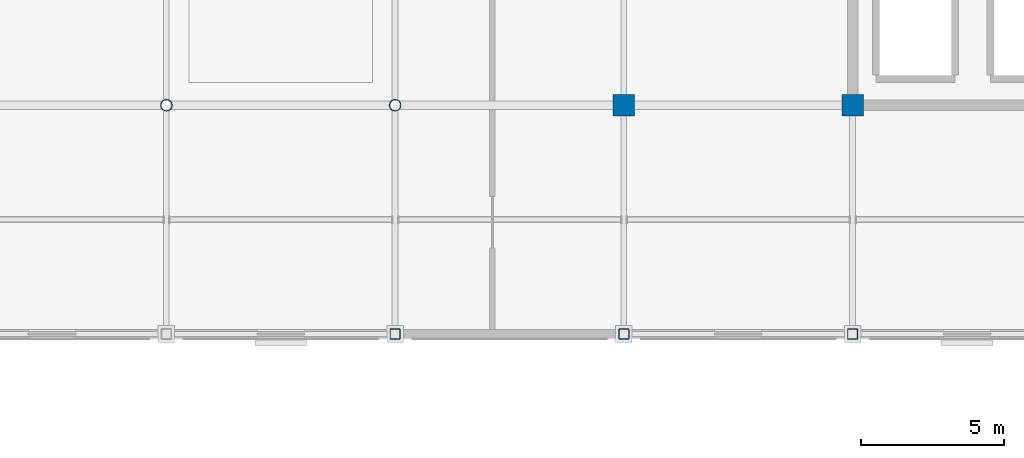
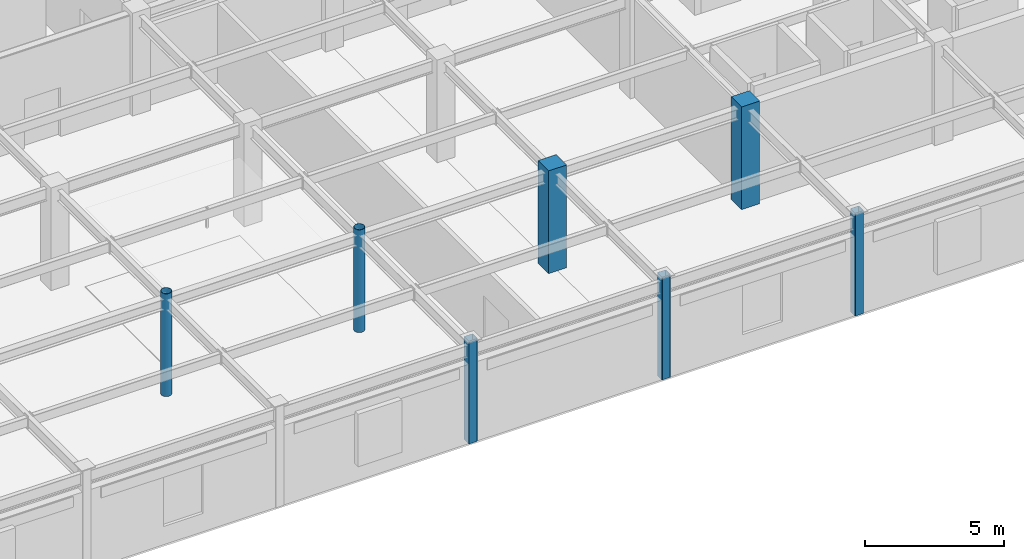
# One storey, part 13 of 93: 7 columns.
"""IFC4 building model written with IfcOpenShell, lengths in metres."""

from ifc_helpers import new_model, si_unit, direction, frame, origin, origin_2d, place, context, subcontext, project, spatial, rectangle, hollow_rectangle, hollow_circle, extrude, material, material_profile, profile_set, type_object, element, save


model = new_model("IFC4")

# Units and contexts
model_context = context("Model", 3, precision=1e-05, world=origin(), true_north=direction((0.0, 1.0)))
body_context = subcontext(model_context, "Body", "Model", "MODEL_VIEW")
ifc_project = project(units=[si_unit("LENGTHUNIT", "METRE"), si_unit("AREAUNIT", "SQUARE_METRE"), si_unit("VOLUMEUNIT", "CUBIC_METRE"), si_unit("PLANEANGLEUNIT", "RADIAN"), si_unit("MASSUNIT", "GRAM", prefix="KILO")], contexts=[model_context])

# Site, building, storey
site_placement = place(None, origin())
site = spatial("IfcSite", under=ifc_project, at=site_placement, CompositionType="ELEMENT")
building_placement = place(site_placement, origin())
building = spatial("IfcBuilding", under=site, at=building_placement, Name="Solmirada Galleria", CompositionType="ELEMENT")
storey_placement = place(building_placement, frame((0.0, 0.0, 14.89990234375)))
storey = spatial("IfcBuildingStorey", under=building, at=storey_placement, Name="L03", CompositionType="ELEMENT", Elevation=14.89990234375)

# Columns
ifc_material_1 = material(Name="Steel S355 / ASTM A500 Grade C", Category="steel")
ifc_material_profile_1 = material_profile(ifc_material_1, hollow_circle(Radius=0.202880859375, WallThickness=0.01171875, at=origin_2d()), Name="HSS16.000X0.500")
ifc_profile_set_1 = profile_set([ifc_material_profile_1], Name="Steel S355 / ASTM A500 Grade C")
column_type_1 = type_object("IfcColumnType", Name="COL-CHS16", PredefinedType="COLUMN", material=ifc_profile_set_1)
for number, where, z_axis, x_axis, name in (
    (1, (136.0, 88.0, 0.0), (0.0, 0.0, 1.0), (1.0, 0.0, 0.0), "Structural column L03-1164"),
    (2, (144.0, 88.0, 0.0), (0.0, 0.0, 1.0), (1.0, 0.0, 0.0), "Structural column L03-1250"),
):
    element("IfcColumn", number, at=place(storey_placement, frame(where, z_axis=z_axis, x_axis=x_axis)), inside=storey, type_object=column_type_1, Name=name, PredefinedType="COLUMN", context=body_context, shape_type="SweptSolid", body=[
        extrude(hollow_circle(Radius=0.202880859375, WallThickness=0.01171875, at=origin_2d()), origin(), (0.0, 0.0, 1.0), 4.5),
    ])
ifc_material_profile_2 = material_profile(ifc_material_1, hollow_rectangle(XDim=0.35595703125, YDim=0.35595703125, WallThickness=0.01171875, InnerFilletRadius=0.01171875, OuterFilletRadius=0.023681640625, at=origin_2d()), Name="HSS14X14X1/2")
ifc_profile_set_2 = profile_set([ifc_material_profile_2], Name="Steel S355 / ASTM A500 Grade C")
column_type_2 = type_object("IfcColumnType", Name="COL-HSS14", PredefinedType="COLUMN", material=ifc_profile_set_2)
for number, where, z_axis, x_axis, name in (
    (3, (144.0, 80.0, 0.0), (0.0, 0.0, 1.0), (1.0, 0.0, 0.0), "Structural column L03-1245"),
    (4, (152.0, 80.0, 0.0), (0.0, 0.0, 1.0), (1.0, 0.0, 0.0), "Structural column L03-1318"),
    (5, (160.0, 80.0, 0.0), (0.0, 0.0, 1.0), (1.0, 0.0, 0.0), "Structural column L03-1391"),
):
    element("IfcColumn", number, at=place(storey_placement, frame(where, z_axis=z_axis, x_axis=x_axis)), inside=storey, type_object=column_type_2, Name=name, PredefinedType="COLUMN", context=body_context, shape_type="SweptSolid", body=[
        extrude(hollow_rectangle(XDim=0.35595703125, YDim=0.35595703125, WallThickness=0.01171875, InnerFilletRadius=0.01171875, OuterFilletRadius=0.023681640625, at=origin_2d()), origin(), (0.0, 0.0, 1.0), 4.5),
    ])
ifc_material_2 = material(Name="Concrete C40/50", Category="concrete")
ifc_material_profile_3 = material_profile(ifc_material_2, rectangle(XDim=0.75, YDim=0.75, at=origin_2d()), Name="RC750X750")
ifc_profile_set_3 = profile_set([ifc_material_profile_3], Name="Concrete C40/50")
column_type_3 = type_object("IfcColumnType", Name="COL-RC750", PredefinedType="COLUMN", material=ifc_profile_set_3)
for number, where, z_axis, x_axis, name in (
    (6, (152.0, 88.0, 0.0), (0.0, 0.0, 1.0), (1.0, 0.0, 0.0), "Structural column L03-1323"),
    (7, (160.0, 88.0, 0.0), (0.0, 0.0, 1.0), (1.0, 0.0, 0.0), "Structural column L03-1396"),
):
    element("IfcColumn", number, at=place(storey_placement, frame(where, z_axis=z_axis, x_axis=x_axis)), inside=storey, type_object=column_type_3, Name=name, PredefinedType="COLUMN", context=body_context, shape_type="SweptSolid", body=[
        extrude(rectangle(XDim=0.75, YDim=0.75, at=origin_2d()), origin(), (0.0, 0.0, 1.0), 4.5),
    ])

save(model, "model.ifc")
